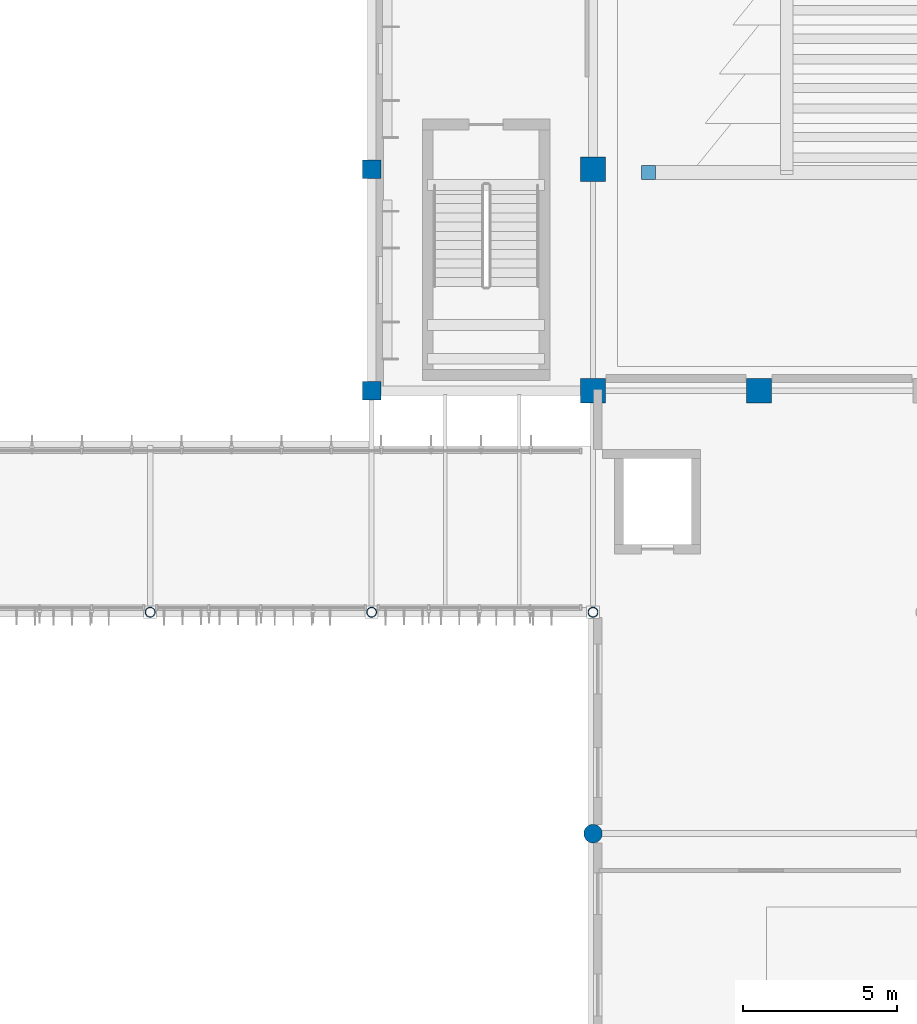
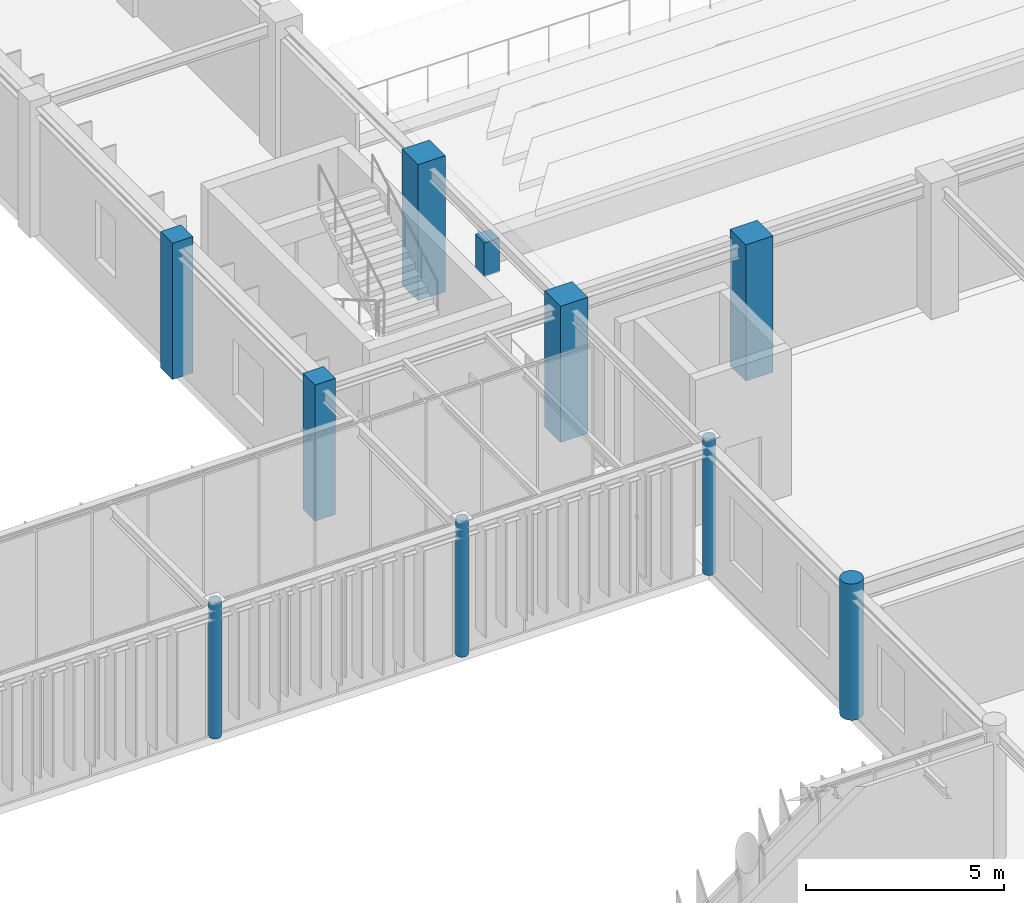
# One storey, part 3 of 104: 10 columns.
"""IFC4 building model written with IfcOpenShell, lengths in metres."""

from ifc_helpers import new_model, si_unit, direction, frame, origin, origin_2d, place, context, subcontext, project, spatial, rectangle, circle, hollow_circle, extrude, material, material_profile, profile_set, type_object, element, save


model = new_model("IFC4")

# Units and contexts
model_context = context("Model", 3, precision=1e-05, world=origin(), true_north=direction((0.0, 1.0)))
body_context = subcontext(model_context, "Body", "Model", "MODEL_VIEW")
ifc_project = project(units=[si_unit("LENGTHUNIT", "METRE"), si_unit("AREAUNIT", "SQUARE_METRE"), si_unit("VOLUMEUNIT", "CUBIC_METRE"), si_unit("PLANEANGLEUNIT", "RADIAN"), si_unit("MASSUNIT", "GRAM", prefix="KILO")], contexts=[model_context])

# Site, building, storey
site_placement = place(None, origin())
site = spatial("IfcSite", under=ifc_project, at=site_placement, CompositionType="ELEMENT")
building_placement = place(site_placement, origin())
building = spatial("IfcBuilding", under=site, at=building_placement, Name="Tazoul Stagehouse", CompositionType="ELEMENT")
storey_placement = place(building_placement, frame((0.0, 0.0, 9.0)))
storey = spatial("IfcBuildingStorey", under=building, at=storey_placement, Name="L02", CompositionType="ELEMENT", Elevation=9.0)

# Columns
ifc_material_1 = material(Name="Concrete C40/50", Category="concrete")
ifc_material_profile_1 = material_profile(ifc_material_1, circle(Radius=0.300048828125, at=origin_2d()), Name="RC D600")
ifc_profile_set_1 = profile_set([ifc_material_profile_1], Name="Concrete C40/50")
column_type_1 = type_object("IfcColumnType", Name="RC Circular Column D600 (Exterior)", PredefinedType="COLUMN", material=ifc_profile_set_1)
column_1_placement = place(storey_placement, frame((57.60009765625, 37.39990234375, 0.0), z_axis=(0.0, 0.0, 1.0), x_axis=(1.0, 0.0, 0.0)))
element("IfcColumn", 1, at=column_1_placement, inside=storey, type_object=column_type_1, Name="L02 Column C-07E at 8/F", PredefinedType="COLUMN", context=body_context, shape_type="SweptSolid", body=[
    extrude(circle(Radius=0.300048828125, at=origin_2d()), origin(), (0.0, 0.0, 1.0), 4.199951171875),
])
ifc_material_profile_2 = material_profile(ifc_material_1, rectangle(XDim=0.449951171875, YDim=0.449951171875, at=origin_2d()), Name="RC 450x450")
ifc_profile_set_2 = profile_set([ifc_material_profile_2], Name="Concrete C40/50")
column_type_2 = type_object("IfcColumnType", Name="RC Column 450x450", PredefinedType="COLUMN", material=ifc_profile_set_2)
column_2_placement = place(storey_placement, frame((59.39990234375, 58.89990234375, 0.0), z_axis=(0.0, 0.0, 1.0), x_axis=(1.0, 0.0, 0.0)))
element("IfcColumn", 2, at=column_2_placement, inside=storey, type_object=column_type_2, Name="L02 Bowl Support Column C-01 (V1-UPPER-RER-1)", PredefinedType="COLUMN", context=body_context, shape_type="SweptSolid", body=[
    extrude(rectangle(XDim=0.449951171875, YDim=0.449951171875, at=origin_2d()), origin(), (0.0, 0.0, 1.0), 1.050048828125),
])
ifc_material_profile_3 = material_profile(ifc_material_1, rectangle(XDim=0.60009765625, YDim=0.60009765625, at=origin_2d()), Name="RC 600x600")
ifc_profile_set_3 = profile_set([ifc_material_profile_3], Name="Concrete C40/50")
column_type_3 = type_object("IfcColumnType", Name="RC Column 600x600 (Exterior)", PredefinedType="COLUMN", material=ifc_profile_set_3)
for number, where, z_axis, x_axis, name in (
    (3, (50.39990234375, 51.800048828125, 0.0), (0.0, 0.0, 1.0), (1.0, 0.0, 0.0), "L02 Column C-03E at 7/H"),
    (4, (50.39990234375, 59.0, 0.0), (0.0, 0.0, 1.0), (1.0, 0.0, 0.0), "L02 Column C-03E at 7/J"),
):
    element("IfcColumn", number, at=place(storey_placement, frame(where, z_axis=z_axis, x_axis=x_axis)), inside=storey, type_object=column_type_3, Name=name, PredefinedType="COLUMN", context=body_context, shape_type="SweptSolid", body=[
        extrude(rectangle(XDim=0.60009765625, YDim=0.60009765625, at=origin_2d()), origin(), (0.0, 0.0, 1.0), 4.199951171875),
    ])
ifc_material_profile_4 = material_profile(ifc_material_1, rectangle(XDim=0.800048828125, YDim=0.800048828125, at=origin_2d()), Name="RC 800x800")
ifc_profile_set_4 = profile_set([ifc_material_profile_4], Name="Concrete C40/50")
column_type_4 = type_object("IfcColumnType", Name="RC Column 800x800", PredefinedType="COLUMN", material=ifc_profile_set_4)
for number, where, z_axis, x_axis, name in (
    (5, (57.60009765625, 59.0, 0.0), (0.0, 0.0, 1.0), (1.0, 0.0, 0.0), "L02 Column C-05 at 8/J"),
    (6, (63.0, 51.800048828125, 0.0), (0.0, 0.0, 1.0), (1.0, 0.0, 0.0), "L02 Column C-05 at 9/H"),
):
    element("IfcColumn", number, at=place(storey_placement, frame(where, z_axis=z_axis, x_axis=x_axis)), inside=storey, type_object=column_type_4, Name=name, PredefinedType="COLUMN", context=body_context, shape_type="SweptSolid", body=[
        extrude(rectangle(XDim=0.800048828125, YDim=0.800048828125, at=origin_2d()), origin(), (0.0, 0.0, 1.0), 4.199951171875),
    ])
ifc_material_profile_5 = material_profile(ifc_material_1, rectangle(XDim=0.800048828125, YDim=0.800048828125, at=origin_2d()), Name="RC 800x800")
ifc_profile_set_5 = profile_set([ifc_material_profile_5], Name="Concrete C40/50")
column_type_5 = type_object("IfcColumnType", Name="RC Column 800x800 (Exterior)", PredefinedType="COLUMN", material=ifc_profile_set_5)
column_3_placement = place(storey_placement, frame((57.60009765625, 51.800048828125, 0.0), z_axis=(0.0, 0.0, 1.0), x_axis=(1.0, 0.0, 0.0)))
element("IfcColumn", 7, at=column_3_placement, inside=storey, type_object=column_type_5, Name="L02 Column C-05E at 8/H", PredefinedType="COLUMN", context=body_context, shape_type="SweptSolid", body=[
    extrude(rectangle(XDim=0.800048828125, YDim=0.800048828125, at=origin_2d()), origin(), (0.0, 0.0, 1.0), 4.199951171875),
])
ifc_material_2 = material(Name="Steel S355", Category="steel")
ifc_material_profile_6 = material_profile(ifc_material_2, hollow_circle(Radius=0.161865234375, WallThickness=0.012451171875, at=origin_2d()), Name="CHS 323.9x12.5")
ifc_profile_set_6 = profile_set([ifc_material_profile_6], Name="Steel S355")
column_type_6 = type_object("IfcColumnType", Name="Steel Arcade Column CHS 323.9x12.5 (Exterior)", PredefinedType="COLUMN", material=ifc_profile_set_6)
for number, where, z_axis, x_axis, name in (
    (8, (43.199951171875, 44.60009765625, 0.0), (0.0, 0.0, 1.0), (1.0, 0.0, 0.0), "L02 Column SC-07E at 6/G"),
    (9, (50.39990234375, 44.60009765625, 0.0), (0.0, 0.0, 1.0), (1.0, 0.0, 0.0), "L02 Column SC-07E at 7/G"),
    (10, (57.60009765625, 44.60009765625, 0.0), (0.0, 0.0, 1.0), (1.0, 0.0, 0.0), "L02 Column SC-07E at 8/G"),
):
    element("IfcColumn", number, at=place(storey_placement, frame(where, z_axis=z_axis, x_axis=x_axis)), inside=storey, type_object=column_type_6, Name=name, PredefinedType="COLUMN", context=body_context, shape_type="SweptSolid", body=[
        extrude(hollow_circle(Radius=0.161865234375, WallThickness=0.012451171875, at=origin_2d()), origin(), (0.0, 0.0, 1.0), 4.199951171875),
    ])

save(model, "model.ifc")
